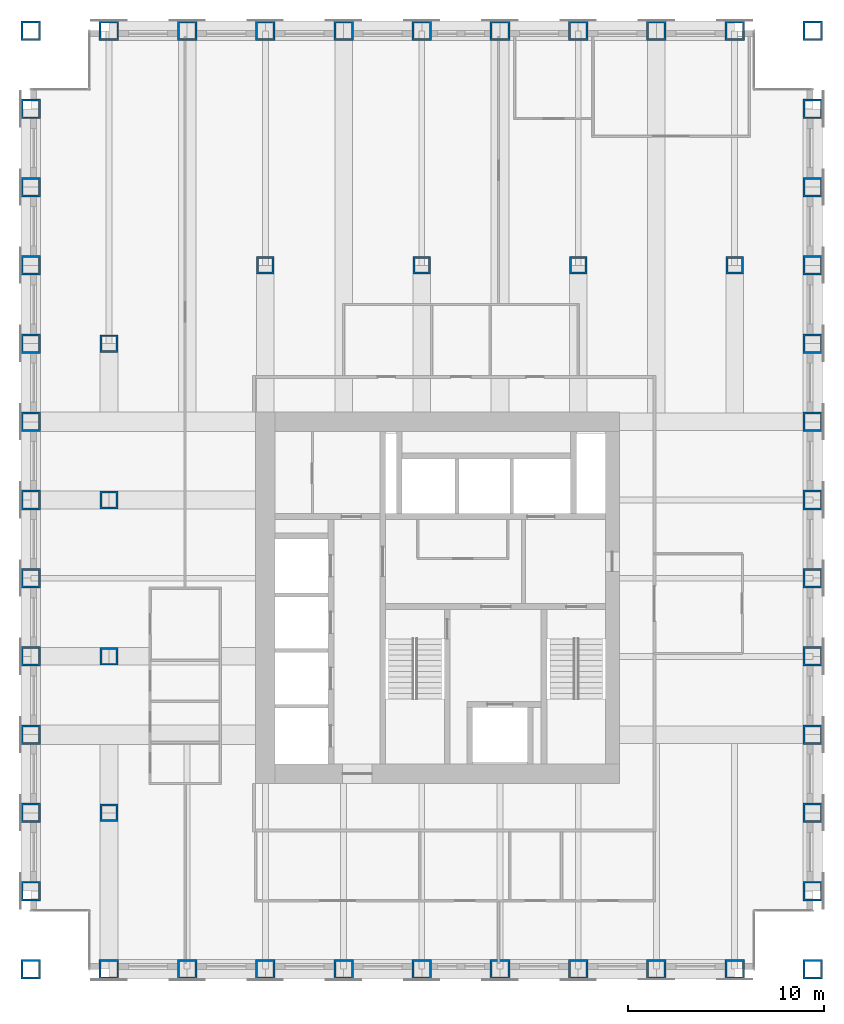
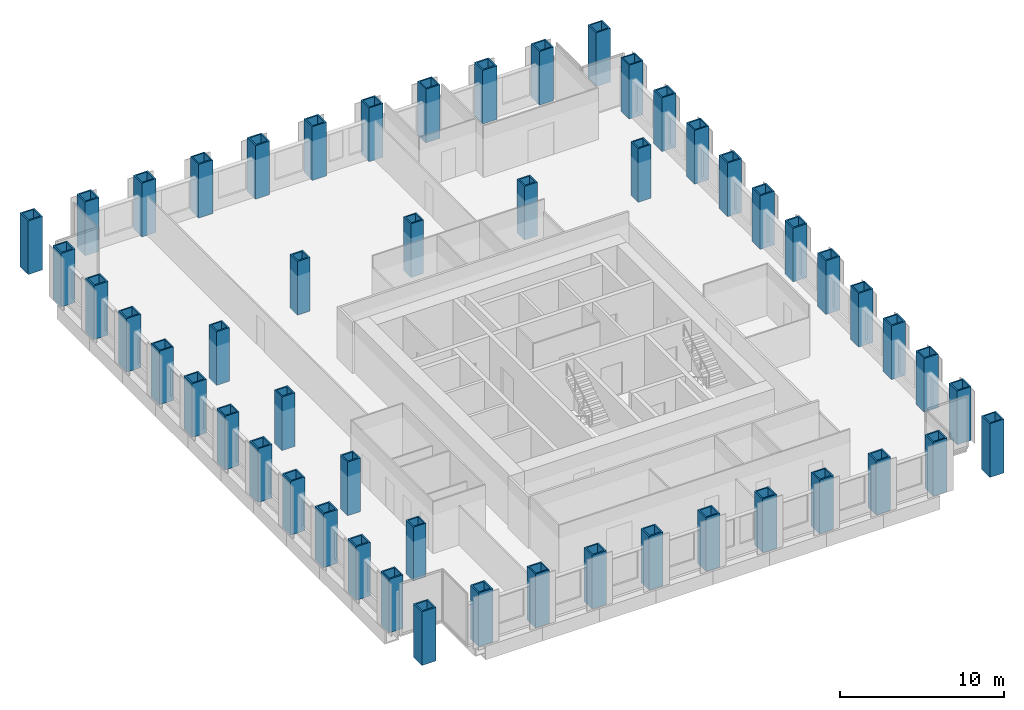
# One storey, part 1 of 13: 52 columns.
"""IFC4 building model written with IfcOpenShell, lengths in metres."""

from ifc_helpers import new_model, si_unit, direction, frame, origin, origin_2d, place, context, subcontext, project, spatial, hollow_rectangle, extrude, material, material_profile, profile_set, type_object, element, save


model = new_model("IFC4")

# Units and contexts
model_context = context("Model", 3, precision=1e-05, world=origin(), true_north=direction((0.0, 1.0)))
body_context = subcontext(model_context, "Body", "Model", "MODEL_VIEW")
ifc_project = project(units=[si_unit("LENGTHUNIT", "METRE"), si_unit("AREAUNIT", "SQUARE_METRE"), si_unit("VOLUMEUNIT", "CUBIC_METRE"), si_unit("PLANEANGLEUNIT", "RADIAN"), si_unit("MASSUNIT", "GRAM", prefix="KILO")], contexts=[model_context])

# Site, building, storey
site_placement = place(None, origin())
site = spatial("IfcSite", under=ifc_project, at=site_placement, CompositionType="ELEMENT")
building_placement = place(site_placement, origin())
building = spatial("IfcBuilding", under=site, at=building_placement, Name="Rimbunsela Tower", CompositionType="ELEMENT")
storey_placement = place(building_placement, frame((0.0, 0.0, 187.800048828125)))
storey = spatial("IfcBuildingStorey", under=building, at=storey_placement, Name="L45", CompositionType="ELEMENT", Elevation=187.800048828125)

# Columns
ifc_material_1 = material(Name="Steel BJ 55 (fy 410 MPa)", Category="steel")
ifc_material_profile_1 = material_profile(ifc_material_1, hollow_rectangle(XDim=1.0, YDim=1.0, WallThickness=0.10009765625, at=origin_2d()), Name="BOX 1000x1000x100")
ifc_profile_set_1 = profile_set([ifc_material_profile_1], Name="Steel BJ 55 (fy 410 MPa)")
column_type_1 = type_object("IfcColumnType", Name="Column BOX 1000x1000x100", PredefinedType="COLUMN", material=ifc_profile_set_1)
for number, where, z_axis, x_axis, name in (
    (1, (6.0, 8.0, 0.0), (0.0, 0.0, 1.0), (1.0, 0.0, 0.0), "Column C1 4/D L45"),
    (2, (6.0, 12.0, 0.0), (0.0, 0.0, 1.0), (1.0, 0.0, 0.0), "Column C1 4/E L45"),
    (3, (6.0, 16.0, 0.0), (0.0, 0.0, 1.0), (1.0, 0.0, 0.0), "Column C1 4/F L45"),
    (4, (6.0, 20.0, 0.0), (0.0, 0.0, 1.0), (1.0, 0.0, 0.0), "Column C1 4/G L45"),
    (5, (6.0, 24.0, 0.0), (0.0, 0.0, 1.0), (1.0, 0.0, 0.0), "Column C1 4/H L45"),
    (6, (6.0, 28.0, 0.0), (0.0, 0.0, 1.0), (1.0, 0.0, 0.0), "Column C1 4/J L45"),
    (7, (6.0, 32.0, 0.0), (0.0, 0.0, 1.0), (1.0, 0.0, 0.0), "Column C1 4/K L45"),
    (8, (6.0, 36.0, 0.0), (0.0, 0.0, 1.0), (1.0, 0.0, 0.0), "Column C1 4/L L45"),
    (9, (6.0, 40.0, 0.0), (0.0, 0.0, 1.0), (1.0, 0.0, 0.0), "Column C1 4/M L45"),
    (10, (6.0, 44.0, 0.0), (0.0, 0.0, 1.0), (1.0, 0.0, 0.0), "Column C1 4/N L45"),
    (11, (6.0, 48.0, 0.0), (0.0, 0.0, 1.0), (1.0, 0.0, 0.0), "Column C1 4/P L45"),
    (12, (6.0, 52.0, 0.0), (0.0, 0.0, 1.0), (1.0, 0.0, 0.0), "Column C1 4/Q L45"),
    (13, (6.0, 56.0, 0.0), (0.0, 0.0, 1.0), (1.0, 0.0, 0.0), "Column C1 4/R L45"),
    (14, (10.0, 8.0, 0.0), (0.0, 0.0, 1.0), (1.0, 0.0, 0.0), "Column C1 5/D L45"),
    (15, (10.0, 56.0, 0.0), (0.0, 0.0, 1.0), (1.0, 0.0, 0.0), "Column C1 5/R L45"),
    (16, (14.0, 8.0, 0.0), (0.0, 0.0, 1.0), (1.0, 0.0, 0.0), "Column C1 6/D L45"),
    (17, (14.0, 56.0, 0.0), (0.0, 0.0, 1.0), (1.0, 0.0, 0.0), "Column C1 6/R L45"),
    (18, (18.0, 8.0, 0.0), (0.0, 0.0, 1.0), (1.0, 0.0, 0.0), "Column C1 7/D L45"),
    (19, (18.0, 56.0, 0.0), (0.0, 0.0, 1.0), (1.0, 0.0, 0.0), "Column C1 7/R L45"),
    (20, (22.0, 8.0, 0.0), (0.0, 0.0, 1.0), (1.0, 0.0, 0.0), "Column C1 8/D L45"),
    (21, (22.0, 56.0, 0.0), (0.0, 0.0, 1.0), (1.0, 0.0, 0.0), "Column C1 8/R L45"),
    (22, (26.0, 8.0, 0.0), (0.0, 0.0, 1.0), (1.0, 0.0, 0.0), "Column C1 9/D L45"),
    (23, (26.0, 56.0, 0.0), (0.0, 0.0, 1.0), (1.0, 0.0, 0.0), "Column C1 9/R L45"),
    (24, (30.0, 8.0, 0.0), (0.0, 0.0, 1.0), (1.0, 0.0, 0.0), "Column C1 10/D L45"),
    (25, (30.0, 56.0, 0.0), (0.0, 0.0, 1.0), (1.0, 0.0, 0.0), "Column C1 10/R L45"),
    (26, (34.0, 8.0, 0.0), (0.0, 0.0, 1.0), (1.0, 0.0, 0.0), "Column C1 11/D L45"),
    (27, (34.0, 56.0, 0.0), (0.0, 0.0, 1.0), (1.0, 0.0, 0.0), "Column C1 11/R L45"),
    (28, (38.0, 8.0, 0.0), (0.0, 0.0, 1.0), (1.0, 0.0, 0.0), "Column C1 12/D L45"),
    (29, (38.0, 56.0, 0.0), (0.0, 0.0, 1.0), (1.0, 0.0, 0.0), "Column C1 12/R L45"),
    (30, (42.0, 8.0, 0.0), (0.0, 0.0, 1.0), (1.0, 0.0, 0.0), "Column C1 13/D L45"),
    (31, (42.0, 56.0, 0.0), (0.0, 0.0, 1.0), (1.0, 0.0, 0.0), "Column C1 13/R L45"),
    (32, (46.0, 8.0, 0.0), (0.0, 0.0, 1.0), (1.0, 0.0, 0.0), "Column C1 14/D L45"),
    (33, (46.0, 12.0, 0.0), (0.0, 0.0, 1.0), (1.0, 0.0, 0.0), "Column C1 14/E L45"),
    (34, (46.0, 16.0, 0.0), (0.0, 0.0, 1.0), (1.0, 0.0, 0.0), "Column C1 14/F L45"),
    (35, (46.0, 20.0, 0.0), (0.0, 0.0, 1.0), (1.0, 0.0, 0.0), "Column C1 14/G L45"),
    (36, (46.0, 24.0, 0.0), (0.0, 0.0, 1.0), (1.0, 0.0, 0.0), "Column C1 14/H L45"),
    (37, (46.0, 28.0, 0.0), (0.0, 0.0, 1.0), (1.0, 0.0, 0.0), "Column C1 14/J L45"),
    (38, (46.0, 32.0, 0.0), (0.0, 0.0, 1.0), (1.0, 0.0, 0.0), "Column C1 14/K L45"),
    (39, (46.0, 36.0, 0.0), (0.0, 0.0, 1.0), (1.0, 0.0, 0.0), "Column C1 14/L L45"),
    (40, (46.0, 40.0, 0.0), (0.0, 0.0, 1.0), (1.0, 0.0, 0.0), "Column C1 14/M L45"),
    (41, (46.0, 44.0, 0.0), (0.0, 0.0, 1.0), (1.0, 0.0, 0.0), "Column C1 14/N L45"),
    (42, (46.0, 48.0, 0.0), (0.0, 0.0, 1.0), (1.0, 0.0, 0.0), "Column C1 14/P L45"),
    (43, (46.0, 52.0, 0.0), (0.0, 0.0, 1.0), (1.0, 0.0, 0.0), "Column C1 14/Q L45"),
    (44, (46.0, 56.0, 0.0), (0.0, 0.0, 1.0), (1.0, 0.0, 0.0), "Column C1 14/R L45"),
):
    element("IfcColumn", number, at=place(storey_placement, frame(where, z_axis=z_axis, x_axis=x_axis)), inside=storey, type_object=column_type_1, Name=name, PredefinedType="COLUMN", context=body_context, shape_type="SweptSolid", body=[
        extrude(hollow_rectangle(XDim=1.0, YDim=1.0, WallThickness=0.10009765625, at=origin_2d()), origin(), (0.0, 0.0, 1.0), 4.0),
    ])
ifc_material_2 = material(Name="Steel BJ 55 (fy 410 MPa)", Category="steel")
ifc_material_profile_2 = material_profile(ifc_material_2, hollow_rectangle(XDim=0.89990234375, YDim=0.89990234375, WallThickness=0.10009765625, at=origin_2d()), Name="BOX 900x900x100")
ifc_profile_set_2 = profile_set([ifc_material_profile_2], Name="Steel BJ 55 (fy 410 MPa)")
column_type_2 = type_object("IfcColumnType", Name="Column BOX 900x900x100", PredefinedType="COLUMN", material=ifc_profile_set_2)
for number, where, z_axis, x_axis, name in (
    (45, (10.0, 16.0, 0.0), (0.0, 0.0, 1.0), (1.0, 0.0, 0.0), "Column C5 5/F L45"),
    (46, (10.0, 24.0, 0.0), (0.0, 0.0, 1.0), (1.0, 0.0, 0.0), "Column C5 5/H L45"),
    (47, (10.0, 32.0, 0.0), (0.0, 0.0, 1.0), (1.0, 0.0, 0.0), "Column C5 5/K L45"),
    (48, (10.0, 40.0, 0.0), (0.0, 0.0, 1.0), (1.0, 0.0, 0.0), "Column C5 5/M L45"),
    (49, (18.0, 44.0, 0.0), (0.0, 0.0, 1.0), (1.0, 0.0, 0.0), "Column C5 7/N L45"),
    (50, (26.0, 44.0, 0.0), (0.0, 0.0, 1.0), (1.0, 0.0, 0.0), "Column C5 9/N L45"),
    (51, (34.0, 44.0, 0.0), (0.0, 0.0, 1.0), (1.0, 0.0, 0.0), "Column C5 11/N L45"),
    (52, (42.0, 44.0, 0.0), (0.0, 0.0, 1.0), (1.0, 0.0, 0.0), "Column C5 13/N L45"),
):
    element("IfcColumn", number, at=place(storey_placement, frame(where, z_axis=z_axis, x_axis=x_axis)), inside=storey, type_object=column_type_2, Name=name, PredefinedType="COLUMN", context=body_context, shape_type="SweptSolid", body=[
        extrude(hollow_rectangle(XDim=0.89990234375, YDim=0.89990234375, WallThickness=0.10009765625, at=origin_2d()), origin(), (0.0, 0.0, 1.0), 4.0),
    ])

save(model, "model.ifc")
